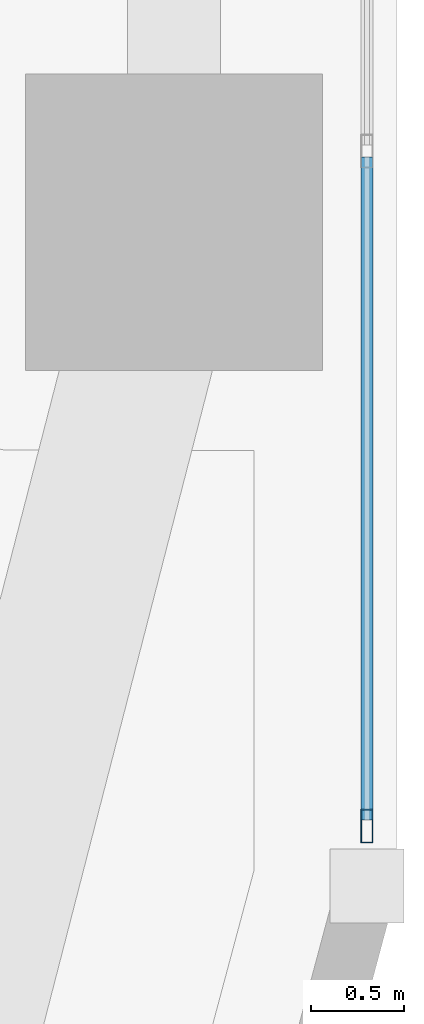
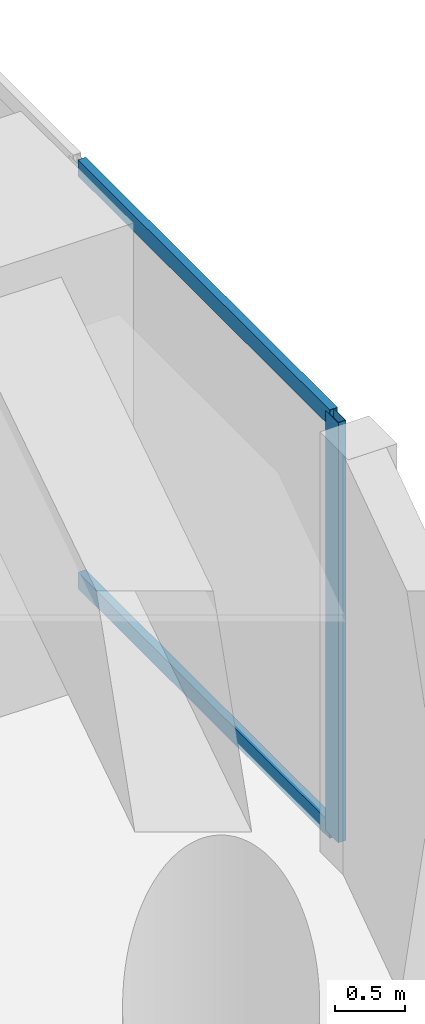
# One storey, part 4 of 28: 3 members, 1 element without a shape of its own.
"""IFC4 building model written with IfcOpenShell, lengths in metres."""

from ifc_helpers import new_model, si_unit, direction, frame, origin, origin_2d, place, context, subcontext, project, spatial, hollow_rectangle, extrude, material, layer, layer_set, material_profile, profile_set, type_object, element, aggregate, save


model = new_model("IFC4")

# Units and contexts
model_context = context("Model", 3, precision=1e-05, world=origin(), true_north=direction((0.0, 1.0)))
body_context = subcontext(model_context, "Body", "Model", "MODEL_VIEW")
ifc_project = project(units=[si_unit("LENGTHUNIT", "METRE"), si_unit("AREAUNIT", "SQUARE_METRE"), si_unit("VOLUMEUNIT", "CUBIC_METRE"), si_unit("PLANEANGLEUNIT", "RADIAN"), si_unit("MASSUNIT", "GRAM", prefix="KILO")], contexts=[model_context])

# Site, building, storey
site_placement = place(None, origin())
site = spatial("IfcSite", under=ifc_project, at=site_placement, CompositionType="ELEMENT")
building_placement = place(site_placement, origin())
building = spatial("IfcBuilding", under=site, at=building_placement, Name="Kiyonajd Concourse Tower", CompositionType="ELEMENT")
storey_placement = place(building_placement, frame((0.0, 0.0, 64.5)))
storey = spatial("IfcBuildingStorey", under=building, at=storey_placement, Name="L17", CompositionType="ELEMENT", Elevation=64.5)

# Curtain wall, members
ifc_material = material(Name="Thermally Broken Anodised Aluminium", Category="aluminium")
ifc_layer = layer(ifc_material, 0.179931640625)
ifc_layer_set = layer_set([ifc_layer], Name="Thermally Broken Anodised Aluminium")
curtain_wall_type = type_object("IfcCurtainWallType", Name="CW-SYS-02", PredefinedType="NOTDEFINED", material=ifc_layer_set)
curtain_wall_placement = place(storey_placement, origin())
curtain_wall = element("IfcCurtainWall", 1, at=curtain_wall_placement, inside=storey, type_object=curtain_wall_type, Name="L17 Unitised Curtain Wall CW2", PredefinedType="NOTDEFINED")
ifc_material_profile_1 = material_profile(ifc_material, hollow_rectangle(XDim=0.06494140625, YDim=0.179931640625, WallThickness=0.00390625, at=origin_2d()), Name="MULL-65x180")
ifc_profile_set_1 = profile_set([ifc_material_profile_1], Name="Thermally Broken Anodised Aluminium")
member_type_1 = type_object("IfcMemberType", Name="MB-CW-MULL1", PredefinedType="MULLION", material=ifc_profile_set_1)
member_1_placement = place(storey_placement, frame((79.0400390625, 15.343505859375, 0.0), z_axis=(0.0, 0.0, 1.0), x_axis=(1.0, 0.0, 0.0)))
member_1 = element("IfcMember", 2, at=member_1_placement, type_object=member_type_1, Name="CW2 mullion 7", PredefinedType="MULLION", context=body_context, shape_type="SweptSolid", body=[
    extrude(hollow_rectangle(XDim=0.06494140625, YDim=0.179931640625, WallThickness=0.00390625, at=origin_2d()), origin(), (0.0, 0.0, 1.0), 3.639892578125),
])
ifc_material_profile_2 = material_profile(ifc_material, hollow_rectangle(XDim=0.06494140625, YDim=0.139892578125, WallThickness=0.00390625, at=origin_2d()), Name="TRAN-65x140")
ifc_profile_set_2 = profile_set([ifc_material_profile_2], Name="Thermally Broken Anodised Aluminium")
member_type_2 = type_object("IfcMemberType", Name="MB-CW-TRAN1", PredefinedType="USERDEFINED", material=ifc_profile_set_2)
member_2_placement = place(storey_placement, frame((79.0400390625, 18.95166015625, 0.032470703125), z_axis=(0.0, -1.0, 0.0), x_axis=(1.0, 0.0, 0.0)))
member_2 = element("IfcMember", 3, at=member_2_placement, type_object=member_type_2, Name="CW2 transom 6.1", ObjectType="TRANSOM", PredefinedType="USERDEFINED", context=body_context, shape_type="SweptSolid", body=[
    extrude(hollow_rectangle(XDim=0.06494140625, YDim=0.139892578125, WallThickness=0.00390625, at=origin_2d()), origin(), (0.0, 0.0, 1.0), 3.575439453125),
])
member_3_placement = place(storey_placement, frame((79.0400390625, 18.95166015625, 3.607421875), z_axis=(0.0, -1.0, 0.0), x_axis=(1.0, 0.0, 0.0)))
member_3 = element("IfcMember", 4, at=member_3_placement, type_object=member_type_2, Name="CW2 transom 6.2", ObjectType="TRANSOM", PredefinedType="USERDEFINED", context=body_context, shape_type="SweptSolid", body=[
    extrude(hollow_rectangle(XDim=0.06494140625, YDim=0.139892578125, WallThickness=0.00390625, at=origin_2d()), origin(), (0.0, 0.0, 1.0), 3.575439453125),
])
aggregate(curtain_wall, [member_1, member_2, member_3])

save(model, "model.ifc")
